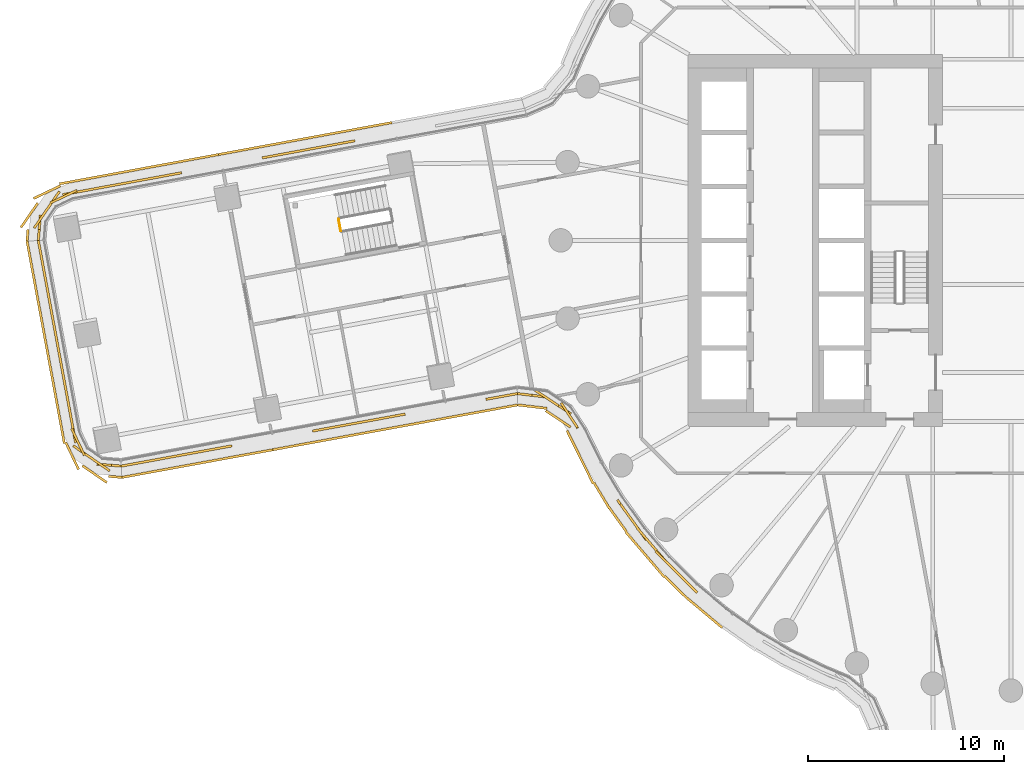
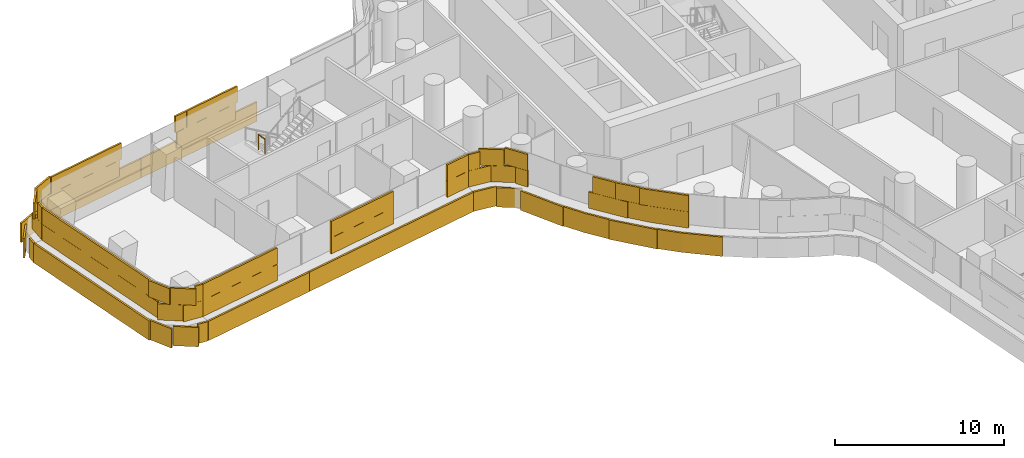
# One storey, part 28 of 33: 6 coverings, 1 railing.
"""IFC4 building model written with IfcOpenShell, lengths in metres."""

from ifc_helpers import new_model, si_unit, direction, frame, origin, origin_2d, place, context, subcontext, project, spatial, rectangle, circle, extrude, material, layer, layer_set, type_object, element, save


model = new_model("IFC4")

# Units and contexts
model_context = context("Model", 3, precision=1e-05, world=origin(), true_north=direction((0.0, 1.0)))
body_context = subcontext(model_context, "Body", "Model", "MODEL_VIEW")
ifc_project = project(units=[si_unit("LENGTHUNIT", "METRE"), si_unit("AREAUNIT", "SQUARE_METRE"), si_unit("VOLUMEUNIT", "CUBIC_METRE"), si_unit("PLANEANGLEUNIT", "RADIAN"), si_unit("MASSUNIT", "GRAM", prefix="KILO")], contexts=[model_context])

# Site, building, storey
site_placement = place(None, origin())
site = spatial("IfcSite", under=ifc_project, at=site_placement, CompositionType="ELEMENT")
building_placement = place(site_placement, origin())
building = spatial("IfcBuilding", under=site, at=building_placement, Name="Tamarind Cross Interchange Tower", CompositionType="ELEMENT")
storey_placement = place(building_placement, frame((0.0, 0.0, 71.5)))
storey = spatial("IfcBuildingStorey", under=building, at=storey_placement, Name="L16", CompositionType="ELEMENT", Elevation=71.5)

# Railing
ifc_material_1 = material(Name="Stair guard")
railing_type = type_object("IfcRailingType", Name="Stair guard", PredefinedType="GUARDRAIL", material=ifc_material_1)
railing_placement = place(storey_placement, frame((-34.350341796875, 1.078125, 1.875)))
element("IfcRailing", 1, at=railing_placement, inside=storey, type_object=railing_type, Name="L16 ST5 stair guard 2", PredefinedType="GUARDRAIL", context=body_context, shape_type="SweptSolid", body=[
    extrude(circle(Radius=0.02392578125, at=origin_2d()), frame((0.0, 0.0, 1.076171875), z_axis=(0.181535368228, -0.983384416229, 0.0), x_axis=(0.983384416229, 0.181535368228, 0.0)), (0.0, 0.0, 1.0), 0.599853515625),
    extrude(circle(Radius=0.02099609375, at=origin_2d()), origin(), (0.0, 0.0, 1.0), 1.052001953125),
    extrude(circle(Radius=0.02099609375, at=origin_2d()), frame((0.10888671875, -0.58984375, 0.0)), (0.0, 0.0, 1.0), 1.052001953125),
])

# Coverings
ifc_material_2 = material(Name="Terracotta", Category="masonry")
ifc_layer = layer(ifc_material_2, 0.1201171875)
ifc_layer_set = layer_set([ifc_layer], Name="Terracotta")
covering_type = type_object("IfcCoveringType", Name="Terracotta baguette screen unit", PredefinedType="MOLDING", material=ifc_layer_set)
covering_1_placement = place(storey_placement, origin())
element("IfcCovering", 2, at=covering_1_placement, inside=storey, type_object=covering_type, Name="SCR-L16-00-00", PredefinedType="MOLDING", context=body_context, shape_type="SweptSolid", body=[
    extrude(rectangle(XDim=1.510009765625, YDim=0.1201171875, at=origin_2d()), frame((-49.553466796875, -0.7470703125, 1.404052734375), z_axis=(0.0, 0.0, 1.0), x_axis=(0.181343076715, -0.983419894311, 0.0)), (0.0, 0.0, 1.0), 1.1669921875),
    extrude(rectangle(XDim=1.52001953125, YDim=0.1201171875, at=origin_2d()), frame((-49.281494140625, -2.222412109375, 1.404052734375), z_axis=(0.0, 0.0, 1.0), x_axis=(0.181343076715, -0.983419894311, 0.0)), (0.0, 0.0, 1.0), 1.1669921875),
    extrude(rectangle(XDim=1.52001953125, YDim=0.1201171875, at=origin_2d()), frame((-49.009521484375, -3.697509765625, 1.404052734375), z_axis=(0.0, 0.0, 1.0), x_axis=(0.181343076715, -0.983419894311, 0.0)), (0.0, 0.0, 1.0), 1.1669921875),
    extrude(rectangle(XDim=1.52001953125, YDim=0.1201171875, at=origin_2d()), frame((-48.7373046875, -5.172607421875, 1.404052734375), z_axis=(0.0, 0.0, 1.0), x_axis=(0.181343076715, -0.983419894311, 0.0)), (0.0, 0.0, 1.0), 1.1669921875),
    extrude(rectangle(XDim=1.52001953125, YDim=0.1201171875, at=origin_2d()), frame((-48.46533203125, -6.647705078125, 1.404052734375), z_axis=(0.0, 0.0, 1.0), x_axis=(0.181343076715, -0.983419894311, 0.0)), (0.0, 0.0, 1.0), 1.1669921875),
    extrude(rectangle(XDim=1.52001953125, YDim=0.1201171875, at=origin_2d()), frame((-48.193359375, -8.122802734375, 1.404052734375), z_axis=(0.0, 0.0, 1.0), x_axis=(0.181343076715, -0.983419894311, 0.0)), (0.0, 0.0, 1.0), 1.1669921875),
    extrude(rectangle(XDim=1.52001953125, YDim=0.1201171875, at=origin_2d()), frame((-47.92138671875, -9.597900390625, 1.404052734375), z_axis=(0.0, 0.0, 1.0), x_axis=(0.181343076715, -0.983419894311, 0.0)), (0.0, 0.0, 1.0), 1.1669921875),
    extrude(rectangle(XDim=1.52001953125, YDim=0.1201171875, at=origin_2d()), frame((-47.28369140625, -10.92236328125, 1.404052734375), z_axis=(0.0, 0.0, 1.0), x_axis=(0.823611795288, -0.567153956755, 0.0)), (0.0, 0.0, 1.0), 1.1669921875),
    extrude(rectangle(XDim=1.259521484375, YDim=0.1201171875, at=origin_2d()), frame((-46.073974609375, -11.484375, 1.404052734375), z_axis=(0.0, 0.0, 1.0), x_axis=(0.996845715953, -0.079363836763, 0.0)), (0.0, 0.0, 1.0), 1.1669921875),
    extrude(rectangle(XDim=0.760009765625, YDim=0.1201171875, at=origin_2d()), frame((-49.62158203125, -0.37841796875, 2.5791015625), z_axis=(0.0, 0.0, 1.0), x_axis=(0.181343076715, -0.983419894311, 0.0)), (0.0, 0.0, 1.0), 1.1669921875),
    extrude(rectangle(XDim=1.52001953125, YDim=0.1201171875, at=origin_2d()), frame((-49.41748046875, -1.484619140625, 2.5791015625), z_axis=(0.0, 0.0, 1.0), x_axis=(0.181343076715, -0.983419894311, 0.0)), (0.0, 0.0, 1.0), 1.1669921875),
    extrude(rectangle(XDim=1.52001953125, YDim=0.1201171875, at=origin_2d()), frame((-49.1455078125, -2.9599609375, 2.5791015625), z_axis=(0.0, 0.0, 1.0), x_axis=(0.181343076715, -0.983419894311, 0.0)), (0.0, 0.0, 1.0), 1.1669921875),
    extrude(rectangle(XDim=1.52001953125, YDim=0.1201171875, at=origin_2d()), frame((-48.87353515625, -4.43505859375, 2.5791015625), z_axis=(0.0, 0.0, 1.0), x_axis=(0.181343076715, -0.983419894311, 0.0)), (0.0, 0.0, 1.0), 1.1669921875),
    extrude(rectangle(XDim=1.52001953125, YDim=0.1201171875, at=origin_2d()), frame((-48.601318359375, -5.91015625, 2.5791015625), z_axis=(0.0, 0.0, 1.0), x_axis=(0.181343076715, -0.983419894311, 0.0)), (0.0, 0.0, 1.0), 1.1669921875),
    extrude(rectangle(XDim=1.52001953125, YDim=0.1201171875, at=origin_2d()), frame((-48.329345703125, -7.38525390625, 2.5791015625), z_axis=(0.0, 0.0, 1.0), x_axis=(0.181343076715, -0.983419894311, 0.0)), (0.0, 0.0, 1.0), 1.1669921875),
    extrude(rectangle(XDim=1.52001953125, YDim=0.1201171875, at=origin_2d()), frame((-48.057373046875, -8.8603515625, 2.5791015625), z_axis=(0.0, 0.0, 1.0), x_axis=(0.181343076715, -0.983419894311, 0.0)), (0.0, 0.0, 1.0), 1.1669921875),
    extrude(rectangle(XDim=1.52001953125, YDim=0.1201171875, at=origin_2d()), frame((-47.6669921875, -10.297119140625, 2.5791015625), z_axis=(0.0, 0.0, 1.0), x_axis=(0.429691759198, -0.902975632051, 0.0)), (0.0, 0.0, 1.0), 1.1669921875),
    extrude(rectangle(XDim=1.52001953125, YDim=0.1201171875, at=origin_2d()), frame((-46.666015625, -11.34765625, 2.5791015625), z_axis=(0.0, 0.0, 1.0), x_axis=(0.823611795288, -0.567153956755, 0.0)), (0.0, 0.0, 1.0), 1.1669921875),
    extrude(rectangle(XDim=0.509521484375, YDim=0.1201171875, at=origin_2d()), frame((-45.7001953125, -11.51416015625, 2.5791015625), z_axis=(0.0, 0.0, 1.0), x_axis=(0.996845715953, -0.079363836763, 0.0)), (0.0, 0.0, 1.0), 1.1669921875),
    extrude(rectangle(XDim=1.510009765625, YDim=0.1201171875, at=origin_2d()), frame((-50.130859375, -0.781982421875, 0.00390625), z_axis=(0.0, 0.0, 1.0), x_axis=(0.181343076715, -0.983419894311, 0.0)), (0.0, 0.0, 1.0), 1.39208984375),
    extrude(rectangle(XDim=1.52001953125, YDim=0.1201171875, at=origin_2d()), frame((-49.859619140625, -2.251953125, 0.00390625), z_axis=(0.0, 0.0, 1.0), x_axis=(0.181343076715, -0.983419894311, 0.0)), (0.0, 0.0, 1.0), 1.39208984375),
    extrude(rectangle(XDim=1.52001953125, YDim=0.1201171875, at=origin_2d()), frame((-49.587646484375, -3.727294921875, 0.00390625), z_axis=(0.0, 0.0, 1.0), x_axis=(0.181343076715, -0.983419894311, 0.0)), (0.0, 0.0, 1.0), 1.39208984375),
    extrude(rectangle(XDim=1.52001953125, YDim=0.1201171875, at=origin_2d()), frame((-49.315673828125, -5.202392578125, 0.00390625), z_axis=(0.0, 0.0, 1.0), x_axis=(0.181343076715, -0.983419894311, 0.0)), (0.0, 0.0, 1.0), 1.39208984375),
    extrude(rectangle(XDim=1.52001953125, YDim=0.1201171875, at=origin_2d()), frame((-49.043701171875, -6.677490234375, 0.00390625), z_axis=(0.0, 0.0, 1.0), x_axis=(0.181343076715, -0.983419894311, 0.0)), (0.0, 0.0, 1.0), 1.39208984375),
    extrude(rectangle(XDim=1.52001953125, YDim=0.1201171875, at=origin_2d()), frame((-48.771484375, -8.152587890625, 0.00390625), z_axis=(0.0, 0.0, 1.0), x_axis=(0.181343076715, -0.983419894311, 0.0)), (0.0, 0.0, 1.0), 1.39208984375),
    extrude(rectangle(XDim=1.52001953125, YDim=0.1201171875, at=origin_2d()), frame((-48.49951171875, -9.627685546875, 0.00390625), z_axis=(0.0, 0.0, 1.0), x_axis=(0.181343076715, -0.983419894311, 0.0)), (0.0, 0.0, 1.0), 1.39208984375),
    extrude(rectangle(XDim=1.52001953125, YDim=0.1201171875, at=origin_2d()), frame((-47.96044921875, -11.016357421875, 0.00390625), z_axis=(0.0, 0.0, 1.0), x_axis=(0.429691759198, -0.902975632051, 0.0)), (0.0, 0.0, 1.0), 1.39208984375),
    extrude(rectangle(XDim=1.52001953125, YDim=0.1201171875, at=origin_2d()), frame((-46.81396484375, -11.94287109375, 0.00390625), z_axis=(0.0, 0.0, 1.0), x_axis=(0.823611795288, -0.567153956755, 0.0)), (0.0, 0.0, 1.0), 1.39208984375),
    extrude(rectangle(XDim=0.6767578125, YDim=0.1201171875, at=origin_2d()), frame((-45.759033203125, -12.085205078125, 0.00390625), z_axis=(0.0, 0.0, 1.0), x_axis=(0.996845715953, -0.079363836763, 0.0)), (0.0, 0.0, 1.0), 1.39208984375),
])
covering_2_placement = place(storey_placement, origin())
element("IfcCovering", 3, at=covering_2_placement, inside=storey, type_object=covering_type, Name="SCR-L16-01-00", PredefinedType="MOLDING", context=body_context, shape_type="SweptSolid", body=[
    extrude(rectangle(XDim=1.510009765625, YDim=0.1201171875, at=origin_2d()), frame((-44.713623046875, -11.39892578125, 1.404052734375), z_axis=(0.0, 0.0, 1.0), x_axis=(0.98365083434, 0.180086190758, 0.0)), (0.0, 0.0, 1.0), 1.1669921875),
    extrude(rectangle(XDim=1.52001953125, YDim=0.1201171875, at=origin_2d()), frame((-43.238037109375, -11.128662109375, 1.404052734375), z_axis=(0.0, 0.0, 1.0), x_axis=(0.98365083434, 0.180086190758, 0.0)), (0.0, 0.0, 1.0), 1.1669921875),
    extrude(rectangle(XDim=1.52001953125, YDim=0.1201171875, at=origin_2d()), frame((-41.762451171875, -10.858642578125, 1.404052734375), z_axis=(0.0, 0.0, 1.0), x_axis=(0.98365083434, 0.180086190758, 0.0)), (0.0, 0.0, 1.0), 1.1669921875),
    extrude(rectangle(XDim=1.25146484375, YDim=0.1201171875, at=origin_2d()), frame((-40.414306640625, -10.61181640625, 1.404052734375), z_axis=(0.0, 0.0, 1.0), x_axis=(0.98365083434, 0.180086190758, 0.0)), (0.0, 0.0, 1.0), 1.1669921875),
    extrude(rectangle(XDim=0.760009765625, YDim=0.1201171875, at=origin_2d()), frame((-45.082275390625, -11.46630859375, 2.5791015625), z_axis=(0.0, 0.0, 1.0), x_axis=(0.98365083434, 0.180086190758, 0.0)), (0.0, 0.0, 1.0), 1.1669921875),
    extrude(rectangle(XDim=1.52001953125, YDim=0.1201171875, at=origin_2d()), frame((-43.975830078125, -11.263916015625, 2.5791015625), z_axis=(0.0, 0.0, 1.0), x_axis=(0.98365083434, 0.180086190758, 0.0)), (0.0, 0.0, 1.0), 1.1669921875),
    extrude(rectangle(XDim=1.52001953125, YDim=0.1201171875, at=origin_2d()), frame((-42.500244140625, -10.99365234375, 2.5791015625), z_axis=(0.0, 0.0, 1.0), x_axis=(0.98365083434, 0.180086190758, 0.0)), (0.0, 0.0, 1.0), 1.1669921875),
    extrude(rectangle(XDim=1.52001953125, YDim=0.1201171875, at=origin_2d()), frame((-41.02490234375, -10.7236328125, 2.5791015625), z_axis=(0.0, 0.0, 1.0), x_axis=(0.98365083434, 0.180086190758, 0.0)), (0.0, 0.0, 1.0), 1.1669921875),
    extrude(rectangle(XDim=0.50146484375, YDim=0.1201171875, at=origin_2d()), frame((-40.04541015625, -10.544189453125, 2.5791015625), z_axis=(0.0, 0.0, 1.0), x_axis=(0.98365083434, 0.180086190758, 0.0)), (0.0, 0.0, 1.0), 1.1669921875),
    extrude(rectangle(XDim=1.510009765625, YDim=0.1201171875, at=origin_2d()), frame((-44.67919921875, -11.97607421875, 0.00390625), z_axis=(0.0, 0.0, 1.0), x_axis=(0.98365083434, 0.180086190758, 0.0)), (0.0, 0.0, 1.0), 1.39208984375),
    extrude(rectangle(XDim=1.52001953125, YDim=0.1201171875, at=origin_2d()), frame((-43.208740234375, -11.706787109375, 0.00390625), z_axis=(0.0, 0.0, 1.0), x_axis=(0.98365083434, 0.180086190758, 0.0)), (0.0, 0.0, 1.0), 1.39208984375),
    extrude(rectangle(XDim=1.52001953125, YDim=0.1201171875, at=origin_2d()), frame((-41.733154296875, -11.436767578125, 0.00390625), z_axis=(0.0, 0.0, 1.0), x_axis=(0.98365083434, 0.180086190758, 0.0)), (0.0, 0.0, 1.0), 1.39208984375),
    extrude(rectangle(XDim=1.52001953125, YDim=0.1201171875, at=origin_2d()), frame((-40.257568359375, -11.166748046875, 0.00390625), z_axis=(0.0, 0.0, 1.0), x_axis=(0.98365083434, 0.180086190758, 0.0)), (0.0, 0.0, 1.0), 1.39208984375),
    extrude(rectangle(XDim=1.52001953125, YDim=0.1201171875, at=origin_2d()), frame((-38.7822265625, -10.896484375, 0.00390625), z_axis=(0.0, 0.0, 1.0), x_axis=(0.98365083434, 0.180086190758, 0.0)), (0.0, 0.0, 1.0), 1.39208984375),
    extrude(rectangle(XDim=0.34716796875, YDim=0.1201171875, at=origin_2d()), frame((-37.883544921875, -10.73193359375, 0.00390625), z_axis=(0.0, 0.0, 1.0), x_axis=(0.98365083434, 0.180086190758, 0.0)), (0.0, 0.0, 1.0), 1.39208984375),
])
covering_3_placement = place(storey_placement, origin())
element("IfcCovering", 4, at=covering_3_placement, inside=storey, type_object=covering_type, Name="SCR-L16-01-01", PredefinedType="MOLDING", context=body_context, shape_type="SweptSolid", body=[
    extrude(rectangle(XDim=0.568603515625, YDim=0.1201171875, at=origin_2d()), frame((-35.397705078125, -9.693359375, 1.404052734375), z_axis=(0.0, 0.0, 1.0), x_axis=(0.98365083434, 0.180086190758, 0.0)), (0.0, 0.0, 1.0), 1.1669921875),
    extrude(rectangle(XDim=1.52001953125, YDim=0.1201171875, at=origin_2d()), frame((-34.38525390625, -9.508056640625, 1.404052734375), z_axis=(0.0, 0.0, 1.0), x_axis=(0.98365083434, 0.180086190758, 0.0)), (0.0, 0.0, 1.0), 1.1669921875),
    extrude(rectangle(XDim=1.52001953125, YDim=0.1201171875, at=origin_2d()), frame((-32.90966796875, -9.23779296875, 1.404052734375), z_axis=(0.0, 0.0, 1.0), x_axis=(0.98365083434, 0.180086190758, 0.0)), (0.0, 0.0, 1.0), 1.1669921875),
    extrude(rectangle(XDim=1.250732421875, YDim=0.1201171875, at=origin_2d()), frame((-31.561767578125, -8.990966796875, 1.404052734375), z_axis=(0.0, 0.0, 1.0), x_axis=(0.98365083434, 0.180086190758, 0.0)), (0.0, 0.0, 1.0), 1.1669921875),
    extrude(rectangle(XDim=0.5693359375, YDim=0.1201171875, at=origin_2d()), frame((-26.545166015625, -8.072509765625, 1.404052734375), z_axis=(0.0, 0.0, 1.0), x_axis=(0.98365083434, 0.180086190758, 0.0)), (0.0, 0.0, 1.0), 1.1669921875),
    extrude(rectangle(XDim=1.07958984375, YDim=0.1201171875, at=origin_2d()), frame((-25.744140625, -7.926025390625, 1.404052734375), z_axis=(0.0, 0.0, 1.0), x_axis=(0.98365083434, 0.180086190758, 0.0)), (0.0, 0.0, 1.0), 1.1669921875),
    extrude(rectangle(XDim=1.318603515625, YDim=0.1201171875, at=origin_2d()), frame((-35.02880859375, -9.625732421875, 2.5791015625), z_axis=(0.0, 0.0, 1.0), x_axis=(0.98365083434, 0.180086190758, 0.0)), (0.0, 0.0, 1.0), 1.1669921875),
    extrude(rectangle(XDim=1.52001953125, YDim=0.1201171875, at=origin_2d()), frame((-33.6474609375, -9.372802734375, 2.5791015625), z_axis=(0.0, 0.0, 1.0), x_axis=(0.98365083434, 0.180086190758, 0.0)), (0.0, 0.0, 1.0), 1.1669921875),
    extrude(rectangle(XDim=1.52001953125, YDim=0.1201171875, at=origin_2d()), frame((-32.171875, -9.102783203125, 2.5791015625), z_axis=(0.0, 0.0, 1.0), x_axis=(0.98365083434, 0.180086190758, 0.0)), (0.0, 0.0, 1.0), 1.1669921875),
    extrude(rectangle(XDim=0.500732421875, YDim=0.1201171875, at=origin_2d()), frame((-31.19287109375, -8.923583984375, 2.5791015625), z_axis=(0.0, 0.0, 1.0), x_axis=(0.98365083434, 0.180086190758, 0.0)), (0.0, 0.0, 1.0), 1.1669921875),
    extrude(rectangle(XDim=1.3193359375, YDim=0.1201171875, at=origin_2d()), frame((-26.17626953125, -8.005126953125, 2.5791015625), z_axis=(0.0, 0.0, 1.0), x_axis=(0.98365083434, 0.180086190758, 0.0)), (0.0, 0.0, 1.0), 1.1669921875),
    extrude(rectangle(XDim=0.32958984375, YDim=0.1201171875, at=origin_2d()), frame((-25.375244140625, -7.8583984375, 2.5791015625), z_axis=(0.0, 0.0, 1.0), x_axis=(0.98365083434, 0.180086190758, 0.0)), (0.0, 0.0, 1.0), 1.1669921875),
    extrude(rectangle(XDim=1.1728515625, YDim=0.1201171875, at=origin_2d()), frame((-37.135986328125, -10.59521484375, 0.00390625), z_axis=(0.0, 0.0, 1.0), x_axis=(0.98365083434, 0.180086190758, 0.0)), (0.0, 0.0, 1.0), 1.39208984375),
    extrude(rectangle(XDim=1.52001953125, YDim=0.1201171875, at=origin_2d()), frame((-35.831298828125, -10.356201171875, 0.00390625), z_axis=(0.0, 0.0, 1.0), x_axis=(0.98365083434, 0.180086190758, 0.0)), (0.0, 0.0, 1.0), 1.39208984375),
    extrude(rectangle(XDim=1.52001953125, YDim=0.1201171875, at=origin_2d()), frame((-34.355712890625, -10.086181640625, 0.00390625), z_axis=(0.0, 0.0, 1.0), x_axis=(0.98365083434, 0.180086190758, 0.0)), (0.0, 0.0, 1.0), 1.39208984375),
    extrude(rectangle(XDim=1.52001953125, YDim=0.1201171875, at=origin_2d()), frame((-32.88037109375, -9.81591796875, 0.00390625), z_axis=(0.0, 0.0, 1.0), x_axis=(0.98365083434, 0.180086190758, 0.0)), (0.0, 0.0, 1.0), 1.39208984375),
    extrude(rectangle(XDim=1.52001953125, YDim=0.1201171875, at=origin_2d()), frame((-31.40478515625, -9.5458984375, 0.00390625), z_axis=(0.0, 0.0, 1.0), x_axis=(0.98365083434, 0.180086190758, 0.0)), (0.0, 0.0, 1.0), 1.39208984375),
    extrude(rectangle(XDim=1.52001953125, YDim=0.1201171875, at=origin_2d()), frame((-29.929443359375, -9.275634765625, 0.00390625), z_axis=(0.0, 0.0, 1.0), x_axis=(0.98365083434, 0.180086190758, 0.0)), (0.0, 0.0, 1.0), 1.39208984375),
    extrude(rectangle(XDim=1.52001953125, YDim=0.1201171875, at=origin_2d()), frame((-28.453857421875, -9.005615234375, 0.00390625), z_axis=(0.0, 0.0, 1.0), x_axis=(0.98365083434, 0.180086190758, 0.0)), (0.0, 0.0, 1.0), 1.39208984375),
    extrude(rectangle(XDim=1.52001953125, YDim=0.1201171875, at=origin_2d()), frame((-26.978271484375, -8.735595703125, 0.00390625), z_axis=(0.0, 0.0, 1.0), x_axis=(0.98365083434, 0.180086190758, 0.0)), (0.0, 0.0, 1.0), 1.39208984375),
    extrude(rectangle(XDim=1.068115234375, YDim=0.1201171875, at=origin_2d()), frame((-25.72509765625, -8.506103515625, 0.00390625), z_axis=(0.0, 0.0, 1.0), x_axis=(0.98365083434, 0.180086190758, 0.0)), (0.0, 0.0, 1.0), 1.39208984375),
])
covering_4_placement = place(storey_placement, origin())
element("IfcCovering", 5, at=covering_4_placement, inside=storey, type_object=covering_type, Name="SCR-L16-02-00", PredefinedType="MOLDING", context=body_context, shape_type="SweptSolid", body=[
    extrude(rectangle(XDim=1.510009765625, YDim=0.1201171875, at=origin_2d()), frame((-24.47314453125, -7.91796875, 1.404052734375), z_axis=(0.0, 0.0, 1.0), x_axis=(0.993042060358, -0.11776020703, 0.0)), (0.0, 0.0, 1.0), 1.1669921875),
    extrude(rectangle(XDim=1.52001953125, YDim=0.1201171875, at=origin_2d()), frame((-23.11279296875, -8.448486328125, 1.404052734375), z_axis=(0.0, 0.0, 1.0), x_axis=(0.835797797451, -0.549037377395, 0.0)), (0.0, 0.0, 1.0), 1.1669921875),
    extrude(rectangle(XDim=0.791015625, YDim=0.1201171875, at=origin_2d()), frame((-22.3486328125, -9.263427734375, 1.404052734375), z_axis=(0.0, 0.0, 1.0), x_axis=(0.54766393591, -0.836698400443, 0.0)), (0.0, 0.0, 1.0), 1.1669921875),
    extrude(rectangle(XDim=1.029052734375, YDim=0.1201171875, at=origin_2d()), frame((-19.8076171875, -13.676025390625, 1.404052734375), z_axis=(0.0, 0.0, 1.0), x_axis=(0.584573890505, -0.811340475102, 0.0)), (0.0, 0.0, 1.0), 1.1669921875),
    extrude(rectangle(XDim=1.52001953125, YDim=0.1201171875, at=origin_2d()), frame((-19.0712890625, -14.697998046875, 1.404052734375), z_axis=(0.0, 0.0, 1.0), x_axis=(0.584573890505, -0.811340475102, 0.0)), (0.0, 0.0, 1.0), 1.1669921875),
    extrude(rectangle(XDim=1.52001953125, YDim=0.1201171875, at=origin_2d()), frame((-18.111328125, -15.849609375, 1.404052734375), z_axis=(0.0, 0.0, 1.0), x_axis=(0.64957723968, -0.760295606781, 0.0)), (0.0, 0.0, 1.0), 1.1669921875),
    extrude(rectangle(XDim=1.52001953125, YDim=0.1201171875, at=origin_2d()), frame((-17.089111328125, -16.945556640625, 1.404052734375), z_axis=(0.0, 0.0, 1.0), x_axis=(0.710143317658, -0.704057148523, 0.0)), (0.0, 0.0, 1.0), 1.1669921875),
    extrude(rectangle(XDim=0.741943359375, YDim=0.1201171875, at=origin_2d()), frame((-16.296630859375, -17.731201171875, 1.404052734375), z_axis=(0.0, 0.0, 1.0), x_axis=(0.710143317658, -0.704057148523, 0.0)), (0.0, 0.0, 1.0), 1.1669921875),
    extrude(rectangle(XDim=0.760009765625, YDim=0.1201171875, at=origin_2d()), frame((-24.845703125, -7.873779296875, 2.5791015625), z_axis=(0.0, 0.0, 1.0), x_axis=(0.993042060358, -0.11776020703, 0.0)), (0.0, 0.0, 1.0), 1.1669921875),
    extrude(rectangle(XDim=1.52001953125, YDim=0.1201171875, at=origin_2d()), frame((-23.739501953125, -8.03662109375, 2.5791015625), z_axis=(0.0, 0.0, 1.0), x_axis=(0.835797797451, -0.549037377395, 0.0)), (0.0, 0.0, 1.0), 1.1669921875),
    extrude(rectangle(XDim=1.52001953125, YDim=0.1201171875, at=origin_2d()), frame((-22.5625, -8.9365234375, 2.5791015625), z_axis=(0.0, 0.0, 1.0), x_axis=(0.54766393591, -0.836698400443, 0.0)), (0.0, 0.0, 1.0), 1.1669921875),
    extrude(rectangle(XDim=1.52001953125, YDim=0.1201171875, at=origin_2d()), frame((-19.509765625, -14.08935546875, 2.5791015625), z_axis=(0.0, 0.0, 1.0), x_axis=(0.584573890505, -0.811340475102, 0.0)), (0.0, 0.0, 1.0), 1.1669921875),
    extrude(rectangle(XDim=1.52001953125, YDim=0.1201171875, at=origin_2d()), frame((-18.598388671875, -15.279296875, 2.5791015625), z_axis=(0.0, 0.0, 1.0), x_axis=(0.64957723968, -0.760295606781, 0.0)), (0.0, 0.0, 1.0), 1.1669921875),
    extrude(rectangle(XDim=1.52001953125, YDim=0.1201171875, at=origin_2d()), frame((-17.62158203125, -16.41748046875, 2.5791015625), z_axis=(0.0, 0.0, 1.0), x_axis=(0.710143317658, -0.704057148523, 0.0)), (0.0, 0.0, 1.0), 1.1669921875),
    extrude(rectangle(XDim=1.491943359375, YDim=0.1201171875, at=origin_2d()), frame((-16.562744140625, -17.46728515625, 2.5791015625), z_axis=(0.0, 0.0, 1.0), x_axis=(0.710143317658, -0.704057148523, 0.0)), (0.0, 0.0, 1.0), 1.1669921875),
    extrude(rectangle(XDim=1.510009765625, YDim=0.1201171875, at=origin_2d()), frame((-24.449951171875, -8.498779296875, 0.00390625), z_axis=(0.0, 0.0, 1.0), x_axis=(0.993042060358, -0.11776020703, 0.0)), (0.0, 0.0, 1.0), 1.39208984375),
    extrude(rectangle(XDim=1.52001953125, YDim=0.1201171875, at=origin_2d()), frame((-23.12939453125, -9.124267578125, 0.00390625), z_axis=(0.0, 0.0, 1.0), x_axis=(0.835797797451, -0.549037377395, 0.0)), (0.0, 0.0, 1.0), 1.39208984375),
    extrude(rectangle(XDim=1.52001953125, YDim=0.1201171875, at=origin_2d()), frame((-22.3447265625, -10.3994140625, 0.00390625), z_axis=(0.0, 0.0, 1.0), x_axis=(0.443058811505, -0.896492548518, 0.0)), (0.0, 0.0, 1.0), 1.39208984375),
    extrude(rectangle(XDim=1.52001953125, YDim=0.1201171875, at=origin_2d()), frame((-21.68017578125, -11.744140625, 0.00390625), z_axis=(0.0, 0.0, 1.0), x_axis=(0.443058811505, -0.896492548518, 0.0)), (0.0, 0.0, 1.0), 1.39208984375),
    extrude(rectangle(XDim=1.52001953125, YDim=0.1201171875, at=origin_2d()), frame((-20.913818359375, -13.033203125, 0.00390625), z_axis=(0.0, 0.0, 1.0), x_axis=(0.515577308909, -0.856843065292, 0.0)), (0.0, 0.0, 1.0), 1.39208984375),
    extrude(rectangle(XDim=1.52001953125, YDim=0.1201171875, at=origin_2d()), frame((-20.08056640625, -14.279052734375, 0.00390625), z_axis=(0.0, 0.0, 1.0), x_axis=(0.584573890505, -0.811340475102, 0.0)), (0.0, 0.0, 1.0), 1.39208984375),
    extrude(rectangle(XDim=1.52001953125, YDim=0.1201171875, at=origin_2d()), frame((-19.182373046875, -15.4794921875, 0.00390625), z_axis=(0.0, 0.0, 1.0), x_axis=(0.64957723968, -0.760295606781, 0.0)), (0.0, 0.0, 1.0), 1.39208984375),
    extrude(rectangle(XDim=1.52001953125, YDim=0.1201171875, at=origin_2d()), frame((-18.2080078125, -16.619873046875, 0.00390625), z_axis=(0.0, 0.0, 1.0), x_axis=(0.64957723968, -0.760295606781, 0.0)), (0.0, 0.0, 1.0), 1.39208984375),
    extrude(rectangle(XDim=1.52001953125, YDim=0.1201171875, at=origin_2d()), frame((-17.15576171875, -17.687744140625, 0.00390625), z_axis=(0.0, 0.0, 1.0), x_axis=(0.710143317658, -0.704057148523, 0.0)), (0.0, 0.0, 1.0), 1.39208984375),
    extrude(rectangle(XDim=1.52001953125, YDim=0.1201171875, at=origin_2d()), frame((-16.048583984375, -18.697998046875, 0.00390625), z_axis=(0.0, 0.0, 1.0), x_axis=(0.765858396687, -0.643009266048, 0.0)), (0.0, 0.0, 1.0), 1.39208984375),
    extrude(rectangle(XDim=0.947265625, YDim=0.1201171875, at=origin_2d()), frame((-15.119140625, -19.478515625, 0.00390625), z_axis=(0.0, 0.0, 1.0), x_axis=(0.765858396687, -0.643009266048, 0.0)), (0.0, 0.0, 1.0), 1.39208984375),
])
covering_5_placement = place(storey_placement, origin())
element("IfcCovering", 6, at=covering_5_placement, inside=storey, type_object=covering_type, Name="SCR-L16-15-01", PredefinedType="MOLDING", context=body_context, shape_type="SweptSolid", body=[
    extrude(rectangle(XDim=1.52001953125, YDim=0.1201171875, at=origin_2d()), frame((-34.4208984375, 4.919189453125, 1.404052734375), z_axis=(0.0, 0.0, 1.0), x_axis=(-0.983419894311, -0.181343076715, 0.0)), (0.0, 0.0, 1.0), 1.1669921875),
    extrude(rectangle(XDim=1.52001953125, YDim=0.1201171875, at=origin_2d()), frame((-35.89599609375, 4.647216796875, 1.404052734375), z_axis=(0.0, 0.0, 1.0), x_axis=(-0.983419894311, -0.181343076715, 0.0)), (0.0, 0.0, 1.0), 1.1669921875),
    extrude(rectangle(XDim=1.52001953125, YDim=0.1201171875, at=origin_2d()), frame((-37.37109375, 4.375, 1.404052734375), z_axis=(0.0, 0.0, 1.0), x_axis=(-0.983419894311, -0.181343076715, 0.0)), (0.0, 0.0, 1.0), 1.1669921875),
    extrude(rectangle(XDim=0.922119140625, YDim=0.1201171875, at=origin_2d()), frame((-33.972412109375, 5.001708984375, 2.5791015625), z_axis=(0.0, 0.0, 1.0), x_axis=(-0.983419894311, -0.181343076715, 0.0)), (0.0, 0.0, 1.0), 1.1669921875),
    extrude(rectangle(XDim=1.52001953125, YDim=0.1201171875, at=origin_2d()), frame((-35.158447265625, 4.783203125, 2.5791015625), z_axis=(0.0, 0.0, 1.0), x_axis=(-0.983419894311, -0.181343076715, 0.0)), (0.0, 0.0, 1.0), 1.1669921875),
    extrude(rectangle(XDim=1.52001953125, YDim=0.1201171875, at=origin_2d()), frame((-36.633544921875, 4.510986328125, 2.5791015625), z_axis=(0.0, 0.0, 1.0), x_axis=(-0.983419894311, -0.181343076715, 0.0)), (0.0, 0.0, 1.0), 1.1669921875),
    extrude(rectangle(XDim=0.8984375, YDim=0.1201171875, at=origin_2d()), frame((-37.80810546875, 4.29443359375, 2.5791015625), z_axis=(0.0, 0.0, 1.0), x_axis=(-0.983419894311, -0.181343076715, 0.0)), (0.0, 0.0, 1.0), 1.1669921875),
    extrude(rectangle(XDim=0.76953125, YDim=0.1201171875, at=origin_2d()), frame((-32.00927734375, 5.947509765625, 0.00390625), z_axis=(0.0, 0.0, 1.0), x_axis=(-0.983419894311, -0.181343076715, 0.0)), (0.0, 0.0, 1.0), 1.39208984375),
    extrude(rectangle(XDim=1.52001953125, YDim=0.1201171875, at=origin_2d()), frame((-33.115234375, 5.74365234375, 0.00390625), z_axis=(0.0, 0.0, 1.0), x_axis=(-0.983419894311, -0.181343076715, 0.0)), (0.0, 0.0, 1.0), 1.39208984375),
    extrude(rectangle(XDim=1.52001953125, YDim=0.1201171875, at=origin_2d()), frame((-34.590576171875, 5.471435546875, 0.00390625), z_axis=(0.0, 0.0, 1.0), x_axis=(-0.983419894311, -0.181343076715, 0.0)), (0.0, 0.0, 1.0), 1.39208984375),
    extrude(rectangle(XDim=1.52001953125, YDim=0.1201171875, at=origin_2d()), frame((-36.065673828125, 5.199462890625, 0.00390625), z_axis=(0.0, 0.0, 1.0), x_axis=(-0.983419894311, -0.181343076715, 0.0)), (0.0, 0.0, 1.0), 1.39208984375),
    extrude(rectangle(XDim=1.52001953125, YDim=0.1201171875, at=origin_2d()), frame((-37.540771484375, 4.927490234375, 0.00390625), z_axis=(0.0, 0.0, 1.0), x_axis=(-0.983419894311, -0.181343076715, 0.0)), (0.0, 0.0, 1.0), 1.39208984375),
    extrude(rectangle(XDim=1.52001953125, YDim=0.1201171875, at=origin_2d()), frame((-39.015869140625, 4.655517578125, 0.00390625), z_axis=(0.0, 0.0, 1.0), x_axis=(-0.983419894311, -0.181343076715, 0.0)), (0.0, 0.0, 1.0), 1.39208984375),
    extrude(rectangle(XDim=0.75439453125, YDim=0.1201171875, at=origin_2d()), frame((-40.114501953125, 4.452880859375, 0.00390625), z_axis=(0.0, 0.0, 1.0), x_axis=(-0.983419894311, -0.181343076715, 0.0)), (0.0, 0.0, 1.0), 1.39208984375),
])
covering_6_placement = place(storey_placement, origin())
element("IfcCovering", 7, at=covering_6_placement, inside=storey, type_object=covering_type, Name="SCR-L16-15-02", PredefinedType="MOLDING", context=body_context, shape_type="SweptSolid", body=[
    extrude(rectangle(XDim=1.52001953125, YDim=0.1201171875, at=origin_2d()), frame((-43.271728515625, 3.287109375, 1.404052734375), z_axis=(0.0, 0.0, 1.0), x_axis=(-0.983419894311, -0.181343076715, 0.0)), (0.0, 0.0, 1.0), 1.1669921875),
    extrude(rectangle(XDim=1.52001953125, YDim=0.1201171875, at=origin_2d()), frame((-44.746826171875, 3.014892578125, 1.404052734375), z_axis=(0.0, 0.0, 1.0), x_axis=(-0.983419894311, -0.181343076715, 0.0)), (0.0, 0.0, 1.0), 1.1669921875),
    extrude(rectangle(XDim=1.52001953125, YDim=0.1201171875, at=origin_2d()), frame((-46.221923828125, 2.742919921875, 1.404052734375), z_axis=(0.0, 0.0, 1.0), x_axis=(-0.983419894311, -0.181343076715, 0.0)), (0.0, 0.0, 1.0), 1.1669921875),
    extrude(rectangle(XDim=1.52001953125, YDim=0.1201171875, at=origin_2d()), frame((-47.697021484375, 2.470947265625, 1.404052734375), z_axis=(0.0, 0.0, 1.0), x_axis=(-0.983419894311, -0.181343076715, 0.0)), (0.0, 0.0, 1.0), 1.1669921875),
    extrude(rectangle(XDim=1.52001953125, YDim=0.1201171875, at=origin_2d()), frame((-49.04541015625, 1.8701171875, 1.404052734375), z_axis=(0.0, 0.0, 1.0), x_axis=(-0.567153956755, -0.823611795288, 0.0)), (0.0, 0.0, 1.0), 1.1669921875),
    extrude(rectangle(XDim=1.31689453125, YDim=0.1201171875, at=origin_2d()), frame((-49.6376953125, 0.641845703125, 1.404052734375), z_axis=(0.0, 0.0, 1.0), x_axis=(-0.079363836763, -0.996845715953, 0.0)), (0.0, 0.0, 1.0), 1.1669921875),
    extrude(rectangle(XDim=0.921630859375, YDim=0.1201171875, at=origin_2d()), frame((-42.823486328125, 3.36962890625, 2.5791015625), z_axis=(0.0, 0.0, 1.0), x_axis=(-0.983419894311, -0.181343076715, 0.0)), (0.0, 0.0, 1.0), 1.1669921875),
    extrude(rectangle(XDim=1.52001953125, YDim=0.1201171875, at=origin_2d()), frame((-44.00927734375, 3.151123046875, 2.5791015625), z_axis=(0.0, 0.0, 1.0), x_axis=(-0.983419894311, -0.181343076715, 0.0)), (0.0, 0.0, 1.0), 1.1669921875),
    extrude(rectangle(XDim=1.52001953125, YDim=0.1201171875, at=origin_2d()), frame((-45.484375, 2.87890625, 2.5791015625), z_axis=(0.0, 0.0, 1.0), x_axis=(-0.983419894311, -0.181343076715, 0.0)), (0.0, 0.0, 1.0), 1.1669921875),
    extrude(rectangle(XDim=1.52001953125, YDim=0.1201171875, at=origin_2d()), frame((-46.95947265625, 2.60693359375, 2.5791015625), z_axis=(0.0, 0.0, 1.0), x_axis=(-0.983419894311, -0.181343076715, 0.0)), (0.0, 0.0, 1.0), 1.1669921875),
    extrude(rectangle(XDim=1.52001953125, YDim=0.1201171875, at=origin_2d()), frame((-48.40087890625, 2.23095703125, 2.5791015625), z_axis=(0.0, 0.0, 1.0), x_axis=(-0.902975632051, -0.429691759198, 0.0)), (0.0, 0.0, 1.0), 1.1669921875),
    extrude(rectangle(XDim=1.52001953125, YDim=0.1201171875, at=origin_2d()), frame((-49.470703125, 1.25244140625, 2.5791015625), z_axis=(0.0, 0.0, 1.0), x_axis=(-0.567153956755, -0.823611795288, 0.0)), (0.0, 0.0, 1.0), 1.1669921875),
    extrude(rectangle(XDim=0.56689453125, YDim=0.1201171875, at=origin_2d()), frame((-49.66748046875, 0.26806640625, 2.5791015625), z_axis=(0.0, 0.0, 1.0), x_axis=(-0.079363836763, -0.996845715953, 0.0)), (0.0, 0.0, 1.0), 1.1669921875),
    extrude(rectangle(XDim=0.765625, YDim=0.1201171875, at=origin_2d()), frame((-40.862060546875, 4.31494140625, 0.00390625), z_axis=(0.0, 0.0, 1.0), x_axis=(-0.983419894311, -0.181343076715, 0.0)), (0.0, 0.0, 1.0), 1.39208984375),
    extrude(rectangle(XDim=1.52001953125, YDim=0.1201171875, at=origin_2d()), frame((-41.966064453125, 4.111572265625, 0.00390625), z_axis=(0.0, 0.0, 1.0), x_axis=(-0.983419894311, -0.181343076715, 0.0)), (0.0, 0.0, 1.0), 1.39208984375),
    extrude(rectangle(XDim=1.52001953125, YDim=0.1201171875, at=origin_2d()), frame((-43.441162109375, 3.83935546875, 0.00390625), z_axis=(0.0, 0.0, 1.0), x_axis=(-0.983419894311, -0.181343076715, 0.0)), (0.0, 0.0, 1.0), 1.39208984375),
    extrude(rectangle(XDim=1.52001953125, YDim=0.1201171875, at=origin_2d()), frame((-44.916259765625, 3.5673828125, 0.00390625), z_axis=(0.0, 0.0, 1.0), x_axis=(-0.983419894311, -0.181343076715, 0.0)), (0.0, 0.0, 1.0), 1.39208984375),
    extrude(rectangle(XDim=1.52001953125, YDim=0.1201171875, at=origin_2d()), frame((-46.3916015625, 3.29541015625, 0.00390625), z_axis=(0.0, 0.0, 1.0), x_axis=(-0.983419894311, -0.181343076715, 0.0)), (0.0, 0.0, 1.0), 1.39208984375),
    extrude(rectangle(XDim=1.52001953125, YDim=0.1201171875, at=origin_2d()), frame((-47.86669921875, 3.0234375, 0.00390625), z_axis=(0.0, 0.0, 1.0), x_axis=(-0.983419894311, -0.181343076715, 0.0)), (0.0, 0.0, 1.0), 1.39208984375),
    extrude(rectangle(XDim=1.52001953125, YDim=0.1201171875, at=origin_2d()), frame((-49.24853515625, 2.46337890625, 0.00390625), z_axis=(0.0, 0.0, 1.0), x_axis=(-0.902975632051, -0.429691759198, 0.0)), (0.0, 0.0, 1.0), 1.39208984375),
    extrude(rectangle(XDim=1.52001953125, YDim=0.1201171875, at=origin_2d()), frame((-50.146484375, 1.283203125, 0.00390625), z_axis=(0.0, 0.0, 1.0), x_axis=(-0.567153956755, -0.823611795288, 0.0)), (0.0, 0.0, 1.0), 1.39208984375),
    extrude(rectangle(XDim=0.59228515625, YDim=0.1201171875, at=origin_2d()), frame((-50.244140625, 0.255859375, 0.00390625), z_axis=(0.0, 0.0, 1.0), x_axis=(-0.079363836763, -0.996845715953, 0.0)), (0.0, 0.0, 1.0), 1.39208984375),
])

save(model, "model.ifc")
